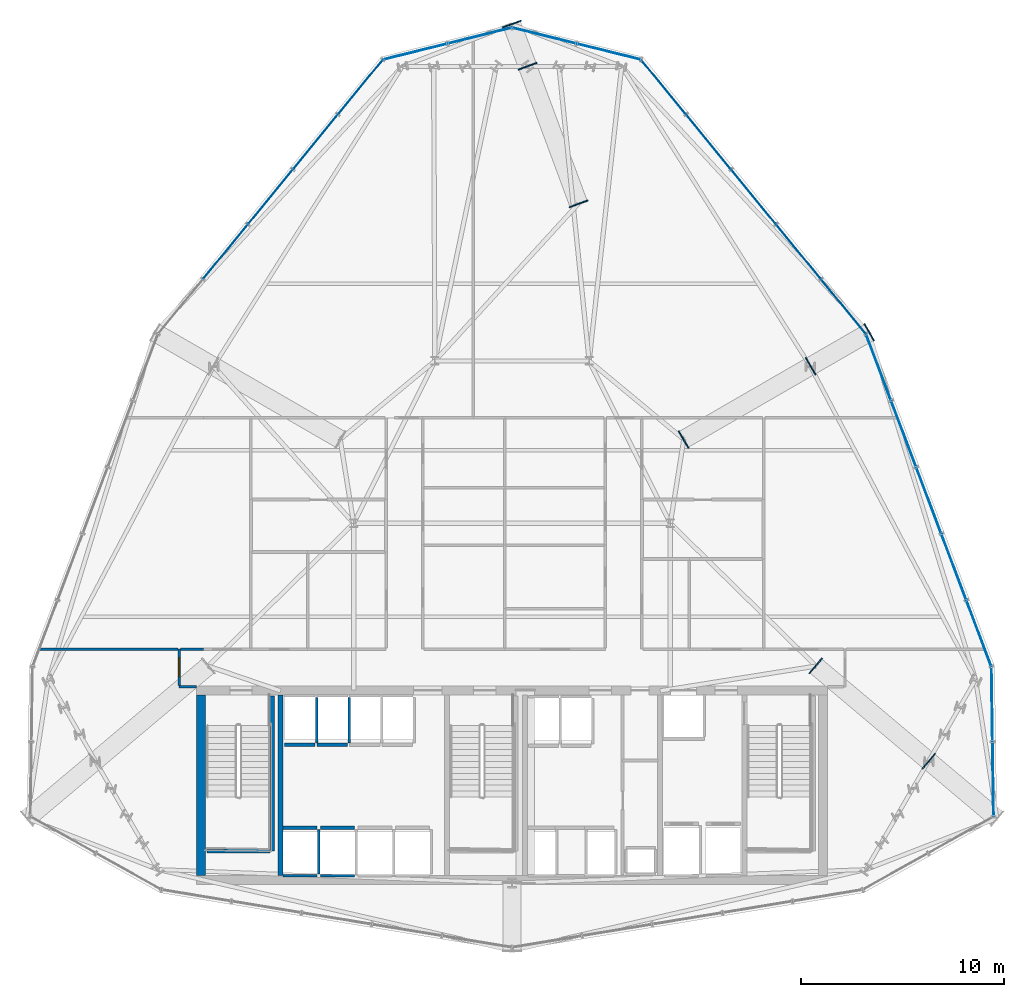
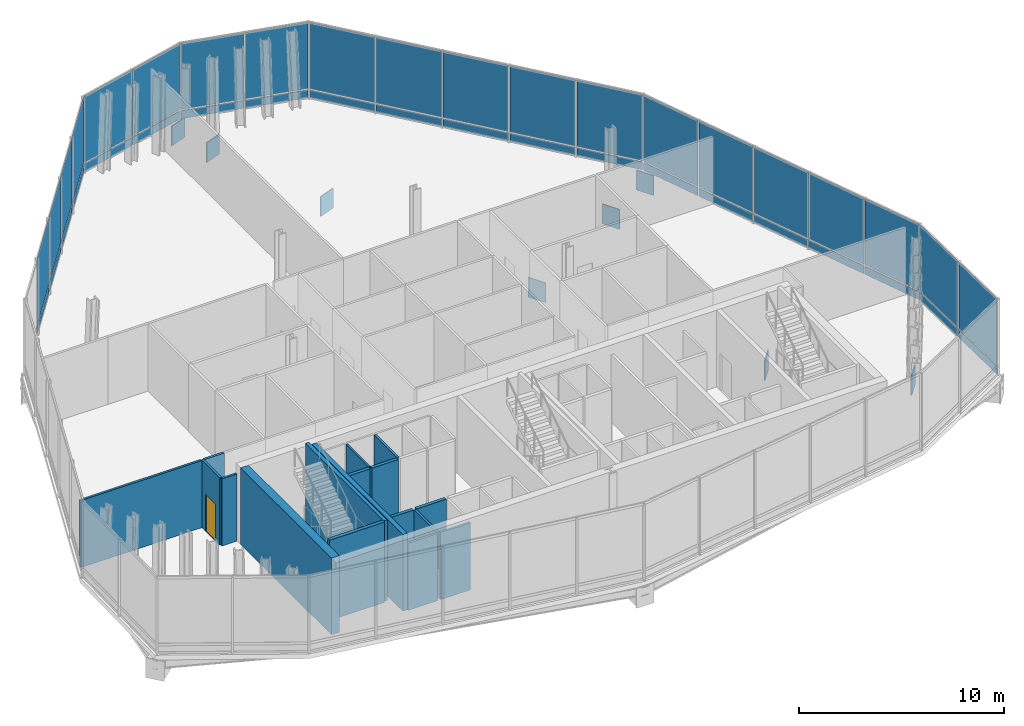
# One storey, part 20 of 26: 48 plates, 17 walls, 1 door, 1 opening, 6 elements without a shape of their own.
"""IFC4 building model written with IfcOpenShell, lengths in metres."""

import ifcopenshell
import ifcopenshell.guid

model = None  # the IFC model being written
_history = None  # IfcOwnerHistory: only IFC2X3 demands one
_inside = {}  # id of a spatial element -> (the spatial element, [elements in it])
_under = {}  # id of a project, library or spatial element -> (it, [spatial elements below it])
_declared = {}  # id of a project -> (the project, [libraries it declares])
_typed = {}  # id of a type object -> (the type object, [elements of that type])
_made_of = {}  # id of a material, layer set ... -> (it, [elements and type objects made of it])


def new_model(schema):
    """Start an empty IFC model of exactly this schema.

    Asked for "IFC4X3", IfcOpenShell would pick the latest addendum, in which some entities
    have other attributes; the version numbers below select the first issue.
    IFC2X3 requires an IfcOwnerHistory on every rooted entity: one is made here for all.
    """
    global model, _history
    if schema == "IFC4X3":
        model = ifcopenshell.file(schema_version=(4, 3, 0, 0))
    else:
        model = ifcopenshell.file(schema=schema)
    _inside.clear()
    _under.clear()
    _declared.clear()
    _typed.clear()
    _made_of.clear()
    _history = None
    if model.schema == "IFC2X3":
        org = make("IfcOrganization", Name="unknown")
        user = make(
            "IfcPersonAndOrganization",
            ThePerson=make("IfcPerson", FamilyName="unknown"),
            TheOrganization=org,
        )
        app = make(
            "IfcApplication",
            ApplicationDeveloper=org,
            Version="unknown",
            ApplicationFullName="unknown",
            ApplicationIdentifier="unknown",
        )
        _history = make(
            "IfcOwnerHistory",
            OwningUser=user,
            OwningApplication=app,
            ChangeAction="ADDED",
            CreationDate=0,
        )
    return model


def make(cls, **values):
    """One entity of the class cls with the attributes given. An attribute that is None is left unset."""
    return model.create_entity(
        cls, **{name: value for name, value in values.items() if value is not None}
    )


def rooted(cls, **values):
    """An entity with a GlobalId (a new one), such as an element, a storey or a relation."""
    return make(cls, GlobalId=ifcopenshell.guid.new(), OwnerHistory=_history, **values)


def si_unit(unit_type, name, prefix=None):
    """IfcSIUnit, for example si_unit("LENGTHUNIT", "METRE", prefix="MILLI")."""
    return make("IfcSIUnit", UnitType=unit_type, Prefix=prefix, Name=name)


def assignment(units):
    """IfcUnitAssignment: the units of a project."""
    return None if units is None else make("IfcUnitAssignment", Units=units)


def point(xyz):
    """IfcCartesianPoint."""
    return None if xyz is None else make("IfcCartesianPoint", Coordinates=xyz)


def direction(xyz):
    """IfcDirection."""
    return None if xyz is None else make("IfcDirection", DirectionRatios=xyz)


def frame(location, z_axis=None, x_axis=None):
    """IfcAxis2Placement3D, a coordinate frame: its origin and axes. An axis left out is left unset."""
    return make(
        "IfcAxis2Placement3D",
        Location=point(location),
        Axis=direction(z_axis),
        RefDirection=direction(x_axis),
    )


def frame_2d(location, x_axis=None):
    """IfcAxis2Placement2D, a coordinate frame in the plane: its origin and x axis."""
    return make(
        "IfcAxis2Placement2D", Location=point(location), RefDirection=direction(x_axis)
    )


def origin():
    """The frame at (0, 0, 0) with its axes left unset."""
    return frame((0.0, 0.0, 0.0))


def origin_2d():
    """The frame at (0, 0) in the plane with its x axis left unset."""
    return frame_2d((0.0, 0.0))


def place(relative_to, where):
    """IfcLocalPlacement: puts the frame where relative to a parent placement (None: the world)."""
    return make(
        "IfcLocalPlacement", PlacementRelTo=relative_to, RelativePlacement=where
    )


def context(
    kind, dimensions, precision=None, world=None, true_north=None, identifier=None
):
    """IfcGeometricRepresentationContext, for example the 3D "Model" context."""
    return make(
        "IfcGeometricRepresentationContext",
        ContextIdentifier=identifier,
        ContextType=kind,
        CoordinateSpaceDimension=dimensions,
        Precision=precision,
        WorldCoordinateSystem=world,
        TrueNorth=true_north,
    )


def subcontext(parent, identifier, kind, view, scale=None):
    """IfcGeometricRepresentationSubContext, for example "Body" below "Model"."""
    return make(
        "IfcGeometricRepresentationSubContext",
        ContextIdentifier=identifier,
        ContextType=kind,
        ParentContext=parent,
        TargetScale=scale,
        TargetView=view,
    )


def project(units=None, contexts=None):
    """IfcProject with its units and contexts."""
    return rooted(
        "IfcProject",
        Name="project",
        RepresentationContexts=contexts,
        UnitsInContext=assignment(units),
    )


def spatial(cls, under=None, at=None, **own):
    """A site, building, storey or space (cls), placed at a placement, below another one or the project."""
    s = rooted(cls, ObjectPlacement=at, **own)
    if under is not None:
        _under.setdefault(under.id(), (under, []))[1].append(s)
    return s


def profile(cls, at=None, kind="AREA", **sizes):
    """A parametric profile (cls). Its sizes go by their IFC names, for example OverallWidth=200.0."""
    return make(cls, ProfileType=kind, Position=at, **sizes)


def rectangle(**sizes):
    """IfcRectangleProfileDef."""
    return profile("IfcRectangleProfileDef", **sizes)


def extrude(swept, where, along, depth):
    """IfcExtrudedAreaSolid: the profile swept, set in the frame where, extruded along a direction by depth."""
    return make(
        "IfcExtrudedAreaSolid",
        SweptArea=swept,
        Position=where,
        ExtrudedDirection=direction(along),
        Depth=depth,
    )


def shape(context_of_items, identifier, shape_type, items):
    """IfcShapeRepresentation: the items that make up one representation, for example the "Body"."""
    return make(
        "IfcShapeRepresentation",
        ContextOfItems=context_of_items,
        RepresentationIdentifier=identifier,
        RepresentationType=shape_type,
        Items=items,
    )


def material(Name=None, Category=None):
    """IfcMaterial."""
    return make("IfcMaterial", Name=Name, Category=Category)


def layer(
    of_material, thickness, ventilated=None, Name=None, Category=None, Priority=None
):
    """IfcMaterialLayer: one layer of a wall or slab, of a material (None: an air gap)."""
    return make(
        "IfcMaterialLayer",
        Material=of_material,
        LayerThickness=thickness,
        IsVentilated=ventilated,
        Name=Name,
        Category=Category,
        Priority=Priority,
    )


def layer_set(layers, Name=None):
    """IfcMaterialLayerSet."""
    return make("IfcMaterialLayerSet", MaterialLayers=layers, LayerSetName=Name)


def made_of(thing, what):
    """Note that an element or type object is made of a material, layer set ...; save() writes the relation."""
    if what is not None:
        _made_of.setdefault(what.id(), (what, []))[1].append(thing)
    return thing


def type_object(cls, material=None, **own):
    """A type object (cls), such as IfcWallType, which elements share."""
    return made_of(rooted(cls, **own), material)


def element(
    cls,
    number,
    at=None,
    inside=None,
    cuts=None,
    type_object=None,
    material=None,
    context=None,
    identifier="Body",
    shape_type=None,
    held_by="IfcProductDefinitionShape",
    body=None,
    shapes=None,
    **own,
):
    """One element of the class cls, such as IfcWall. Its Tag is "e" and its number.

    at: its placement. inside: the storey or other place that contains it. cuts: it is an
    opening in that element (IfcRelVoidsElement). A single representation is given by context,
    identifier, shape_type and body (its items); several are given by shapes. held_by: the class
    of the entity that holds the representations. save() writes the other relations.
    """
    e = rooted(cls, Tag="e%d" % number, ObjectPlacement=at, **own)
    if body is not None:
        shapes = [shape(context, identifier, shape_type, body)]
    if shapes is not None:
        e.Representation = make(held_by, Representations=shapes)
    if inside is not None:
        _inside.setdefault(inside.id(), (inside, []))[1].append(e)
    if cuts is not None:
        rooted(
            "IfcRelVoidsElement", RelatingBuildingElement=cuts, RelatedOpeningElement=e
        )
    if type_object is not None:
        _typed.setdefault(type_object.id(), (type_object, []))[1].append(e)
    return made_of(e, material)


def fill(opening, filler):
    """IfcRelFillsElement: the door or window that sits in an opening."""
    return rooted(
        "IfcRelFillsElement",
        RelatingOpeningElement=opening,
        RelatedBuildingElement=filler,
    )


def aggregate(whole, parts):
    """IfcRelAggregates: a whole, such as a stair, and the parts it consists of."""
    return rooted("IfcRelAggregates", RelatingObject=whole, RelatedObjects=parts)


def save(model, path):
    """Write the relations noted so far, then the file.

    IfcRelAggregates (storeys below a building ...), IfcRelContainedInSpatialStructure (elements
    in a storey), IfcRelDefinesByType, IfcRelAssociatesMaterial and IfcRelDeclares: one each for
    every whole, place, type object, material and project.
    """
    for whole, parts in _under.values():
        aggregate(whole, parts)
    for where, things in _inside.values():
        rooted(
            "IfcRelContainedInSpatialStructure",
            RelatedElements=things,
            RelatingStructure=where,
        )
    for kind, things in _typed.values():
        rooted("IfcRelDefinesByType", RelatedObjects=things, RelatingType=kind)
    for what, things in _made_of.values():
        rooted("IfcRelAssociatesMaterial", RelatedObjects=things, RelatingMaterial=what)
    for by, libraries in _declared.values():
        rooted("IfcRelDeclares", RelatingContext=by, RelatedDefinitions=libraries)
    model.write(path)


model = new_model("IFC4")

# Units and contexts
model_context = context("Model", 3, precision=1e-05, world=origin(), true_north=direction((0.0, 1.0)))
body_context = subcontext(model_context, "Body", "Model", "MODEL_VIEW")
ifc_project = project(units=[si_unit("LENGTHUNIT", "METRE"), si_unit("AREAUNIT", "SQUARE_METRE"), si_unit("VOLUMEUNIT", "CUBIC_METRE"), si_unit("PLANEANGLEUNIT", "RADIAN"), si_unit("MASSUNIT", "GRAM", prefix="KILO")], contexts=[model_context])

# Site, building, storey
site_placement = place(None, origin())
site = spatial("IfcSite", under=ifc_project, at=site_placement, CompositionType="ELEMENT")
building_placement = place(site_placement, origin())
building = spatial("IfcBuilding", under=site, at=building_placement, Name="Ndaravel Arena Tower", CompositionType="ELEMENT")
storey_placement = place(building_placement, frame((0.0, 0.0, 122.199951171875)))
storey = spatial("IfcBuildingStorey", under=building, at=storey_placement, Name="L28", CompositionType="ELEMENT", Elevation=122.199951171875)

# Plates
ifc_material_1 = material(Name="Steel S460", Category="steel")
ifc_layer_1 = layer(ifc_material_1, 0.06005859375)
ifc_layer_set_1 = layer_set([ifc_layer_1], Name="Steel S460")
plate_type_1 = type_object("IfcPlateType", Name="PLT-CAP-STF1", PredefinedType="USERDEFINED", material=ifc_layer_set_1)
for number, where, z_axis, x_axis, name in (
    (1, (56.96044921875, 16.17919921875, -1.419921875), (0.0, 0.0, 1.0), (0.764808968487, -0.64425712392, 0.0), "L28 Hollow Section Sealed End Cap Plate HCP-027"),
    (2, (62.533935546875, 11.48486328125, -1.419921875), (0.0, 0.0, 1.0), (0.764808968487, -0.64425712392, 0.0), "L28 Hollow Section Sealed End Cap Plate HCP-028"),
    (3, (50.449951171875, 27.330810546875, -1.419921875), (0.0, 0.0, 1.0), (0.866025403784, 0.5, 0.0), "L28 Hollow Section Sealed End Cap Plate HCP-030"),
    (4, (56.711181640625, 30.94580078125, -1.419921875), (0.0, 0.0, 1.0), (0.866025403784, 0.5, 0.0), "L28 Hollow Section Sealed End Cap Plate HCP-031"),
    (5, (59.59521484375, 32.61083984375, -1.419921875), (0.0, 0.0, 1.0), (0.866025403784, 0.5, 0.0), "L28 Hollow Section Sealed End Cap Plate HCP-032"),
    (6, (45.281494140625, 38.939453125, -1.419921875), (0.0, 0.0, 1.0), (-0.347917616161, 0.937525110258, 0.0), "L28 Hollow Section Sealed End Cap Plate HCP-033"),
    (7, (42.7666015625, 45.718017578125, -1.419921875), (0.0, 0.0, 1.0), (-0.347917616161, 0.937525110258, 0.0), "L28 Hollow Section Sealed End Cap Plate HCP-034"),
    (8, (41.994873046875, 47.798095703125, -1.419921875), (0.0, 0.0, 1.0), (-0.347917616161, 0.937525110258, 0.0), "L28 Hollow Section Sealed End Cap Plate HCP-035"),
):
    element("IfcPlate", number, at=place(storey_placement, frame(where, z_axis=z_axis, x_axis=x_axis)), inside=storey, type_object=plate_type_1, Name=name, ObjectType="STIFFENER_PLATE", PredefinedType="USERDEFINED", context=body_context, shape_type="SweptSolid", body=[
        extrude(rectangle(XDim=0.06005859375, YDim=0.97998046875, at=origin_2d()), origin(), (0.0, 0.0, 1.0), 1.179931640625),
    ])

# Curtain wall, plates
ifc_material_2 = material(Name="Aluminium", Category="aluminium")
ifc_layer_2 = layer(ifc_material_2, 0.179931640625)
ifc_layer_set_2 = layer_set([ifc_layer_2], Name="Aluminium")
curtain_wall_type = type_object("IfcCurtainWallType", Name="CW-SYS-04", PredefinedType="NOTDEFINED", material=ifc_layer_set_2)
curtain_wall_1_placement = place(storey_placement, origin())
curtain_wall_1 = element("IfcCurtainWall", 9, at=curtain_wall_1_placement, inside=storey, type_object=curtain_wall_type, Name="L28 Faceted Crystal Curtain Wall CW-L28-E05", PredefinedType="NOTDEFINED")
ifc_material_3 = material(Name="Glazing", Category="glass")
ifc_layer_3 = layer(ifc_material_3, 0.0400390625)
ifc_layer_set_3 = layer_set([ifc_layer_3], Name="Glazing")
plate_type_2 = type_object("IfcPlateType", Name="PLT-GLZ-LOWIRON", PredefinedType="CURTAIN_PANEL", material=ifc_layer_set_3)
plate_1_placement = place(storey_placement, frame((65.6982421875, 10.601318359375, 0.58984375), z_axis=(0.0, 0.0, 1.0), x_axis=(-0.014503177598, 0.999894823389, 0.0)))
plate_1 = element("IfcPlate", 10, at=plate_1_placement, type_object=plate_type_2, Name="CW-L28-E05 Vision Glass Panel 01", PredefinedType="CURTAIN_PANEL", context=body_context, shape_type="SweptSolid", body=[
    extrude(rectangle(XDim=3.6142578125, YDim=0.035888671875, at=origin_2d()), origin(), (0.0, 0.0, 1.0), 3.949951171875),
])
plate_2_placement = place(storey_placement, frame((65.644775390625, 14.29541015625, 0.58984375), z_axis=(0.0, 0.0, 1.0), x_axis=(-0.014503177598, 0.999894823389, 0.0)))
plate_2 = element("IfcPlate", 11, at=plate_2_placement, type_object=plate_type_2, Name="CW-L28-E05 Vision Glass Panel 02", PredefinedType="CURTAIN_PANEL", context=body_context, shape_type="SweptSolid", body=[
    extrude(rectangle(XDim=3.6142578125, YDim=0.035888671875, at=origin_2d()), origin(), (0.0, 0.0, 1.0), 3.949951171875),
])

curtain_wall_2_placement = place(storey_placement, origin())
curtain_wall_2 = element("IfcCurtainWall", 12, at=curtain_wall_2_placement, inside=storey, type_object=curtain_wall_type, Name="L28 Faceted Crystal Curtain Wall CW-L28-E06", PredefinedType="NOTDEFINED")
plate_3_placement = place(storey_placement, frame((65.00048828125, 17.7802734375, 0.58984375), z_axis=(0.0, 0.0, 1.0), x_axis=(-0.352805363625, 0.935696732599, 0.0)))
plate_3 = element("IfcPlate", 13, at=plate_3_placement, type_object=plate_type_2, Name="CW-L28-E06 Vision Glass Panel 01", PredefinedType="CURTAIN_PANEL", context=body_context, shape_type="SweptSolid", body=[
    extrude(rectangle(XDim=3.421142578125, YDim=0.035888671875, at=origin_2d()), origin(), (0.0, 0.0, 1.0), 3.949951171875),
])
plate_4_placement = place(storey_placement, frame((63.76513671875, 21.056396484375, 0.58984375), z_axis=(0.0, 0.0, 1.0), x_axis=(-0.352805363625, 0.935696732599, 0.0)))
plate_4 = element("IfcPlate", 14, at=plate_4_placement, type_object=plate_type_2, Name="CW-L28-E06 Vision Glass Panel 02", PredefinedType="CURTAIN_PANEL", context=body_context, shape_type="SweptSolid", body=[
    extrude(rectangle(XDim=3.421142578125, YDim=0.035888671875, at=origin_2d()), origin(), (0.0, 0.0, 1.0), 3.949951171875),
])
plate_5_placement = place(storey_placement, frame((62.52978515625, 24.332275390625, 0.58984375), z_axis=(0.0, 0.0, 1.0), x_axis=(-0.352805363625, 0.935696732599, 0.0)))
plate_5 = element("IfcPlate", 15, at=plate_5_placement, type_object=plate_type_2, Name="CW-L28-E06 Vision Glass Panel 03", PredefinedType="CURTAIN_PANEL", context=body_context, shape_type="SweptSolid", body=[
    extrude(rectangle(XDim=3.421142578125, YDim=0.035888671875, at=origin_2d()), origin(), (0.0, 0.0, 1.0), 3.949951171875),
])
plate_6_placement = place(storey_placement, frame((61.294677734375, 27.608154296875, 0.58984375), z_axis=(0.0, 0.0, 1.0), x_axis=(-0.352805363625, 0.935696732599, 0.0)))
plate_6 = element("IfcPlate", 16, at=plate_6_placement, type_object=plate_type_2, Name="CW-L28-E06 Vision Glass Panel 04", PredefinedType="CURTAIN_PANEL", context=body_context, shape_type="SweptSolid", body=[
    extrude(rectangle(XDim=3.421142578125, YDim=0.035888671875, at=origin_2d()), origin(), (0.0, 0.0, 1.0), 3.949951171875),
])
plate_7_placement = place(storey_placement, frame((60.059326171875, 30.88427734375, 0.58984375), z_axis=(0.0, 0.0, 1.0), x_axis=(-0.352805363625, 0.935696732599, 0.0)))
plate_7 = element("IfcPlate", 17, at=plate_7_placement, type_object=plate_type_2, Name="CW-L28-E06 Vision Glass Panel 05", PredefinedType="CURTAIN_PANEL", context=body_context, shape_type="SweptSolid", body=[
    extrude(rectangle(XDim=3.421142578125, YDim=0.035888671875, at=origin_2d()), origin(), (0.0, 0.0, 1.0), 3.949951171875),
])

curtain_wall_3_placement = place(storey_placement, origin())
curtain_wall_3 = element("IfcCurtainWall", 18, at=curtain_wall_3_placement, inside=storey, type_object=curtain_wall_type, Name="L28 Faceted Crystal Curtain Wall CW-L28-E07", PredefinedType="NOTDEFINED")
plate_8_placement = place(storey_placement, frame((58.333740234375, 33.8740234375, 0.58984375), z_axis=(0.0, 0.0, 1.0), x_axis=(-0.633934458857, 0.773386773791, 0.0)))
plate_8 = element("IfcPlate", 19, at=plate_8_placement, type_object=plate_type_2, Name="CW-L28-E07 Vision Glass Panel 01", PredefinedType="CURTAIN_PANEL", context=body_context, shape_type="SweptSolid", body=[
    extrude(rectangle(XDim=3.416015625, YDim=0.035888671875, at=origin_2d()), origin(), (0.0, 0.0, 1.0), 3.949951171875),
])
plate_9_placement = place(storey_placement, frame((56.117431640625, 36.577880859375, 0.58984375), z_axis=(0.0, 0.0, 1.0), x_axis=(-0.633934458857, 0.773386773791, 0.0)))
plate_9 = element("IfcPlate", 20, at=plate_9_placement, type_object=plate_type_2, Name="CW-L28-E07 Vision Glass Panel 02", PredefinedType="CURTAIN_PANEL", context=body_context, shape_type="SweptSolid", body=[
    extrude(rectangle(XDim=3.416015625, YDim=0.035888671875, at=origin_2d()), origin(), (0.0, 0.0, 1.0), 3.949951171875),
])
plate_10_placement = place(storey_placement, frame((53.901123046875, 39.28173828125, 0.58984375), z_axis=(0.0, 0.0, 1.0), x_axis=(-0.633934458857, 0.773386773791, 0.0)))
plate_10 = element("IfcPlate", 21, at=plate_10_placement, type_object=plate_type_2, Name="CW-L28-E07 Vision Glass Panel 03", PredefinedType="CURTAIN_PANEL", context=body_context, shape_type="SweptSolid", body=[
    extrude(rectangle(XDim=3.416015625, YDim=0.035888671875, at=origin_2d()), origin(), (0.0, 0.0, 1.0), 3.949951171875),
])
plate_11_placement = place(storey_placement, frame((51.684814453125, 41.985595703125, 0.58984375), z_axis=(0.0, 0.0, 1.0), x_axis=(-0.633934458857, 0.773386773791, 0.0)))
plate_11 = element("IfcPlate", 22, at=plate_11_placement, type_object=plate_type_2, Name="CW-L28-E07 Vision Glass Panel 04", PredefinedType="CURTAIN_PANEL", context=body_context, shape_type="SweptSolid", body=[
    extrude(rectangle(XDim=3.416015625, YDim=0.035888671875, at=origin_2d()), origin(), (0.0, 0.0, 1.0), 3.949951171875),
])
plate_12_placement = place(storey_placement, frame((49.468505859375, 44.689697265625, 0.58984375), z_axis=(0.0, 0.0, 1.0), x_axis=(-0.633934458857, 0.773386773791, 0.0)))
plate_12 = element("IfcPlate", 23, at=plate_12_placement, type_object=plate_type_2, Name="CW-L28-E07 Vision Glass Panel 05", PredefinedType="CURTAIN_PANEL", context=body_context, shape_type="SweptSolid", body=[
    extrude(rectangle(XDim=3.416015625, YDim=0.035888671875, at=origin_2d()), origin(), (0.0, 0.0, 1.0), 3.949951171875),
])

curtain_wall_4_placement = place(storey_placement, origin())
curtain_wall_4 = element("IfcCurtainWall", 24, at=curtain_wall_4_placement, inside=storey, type_object=curtain_wall_type, Name="L28 Faceted Crystal Curtain Wall CW-L28-E08", PredefinedType="NOTDEFINED")
plate_13_placement = place(storey_placement, frame((46.770263671875, 46.435791015625, 0.58984375), z_axis=(0.0, 0.0, 1.0), x_axis=(-0.970586363623, 0.24075321545, 0.0)))
plate_13 = element("IfcPlate", 25, at=plate_13_placement, type_object=plate_type_2, Name="CW-L28-E08 Vision Glass Panel 01", PredefinedType="CURTAIN_PANEL", context=body_context, shape_type="SweptSolid", body=[
    extrude(rectangle(XDim=3.196533203125, YDim=0.035888671875, at=origin_2d()), origin(), (0.0, 0.0, 1.0), 3.949951171875),
])
plate_14_placement = place(storey_placement, frame((43.590087890625, 47.224853515625, 0.58984375), z_axis=(0.0, 0.0, 1.0), x_axis=(-0.970586363623, 0.24075321545, 0.0)))
plate_14 = element("IfcPlate", 26, at=plate_14_placement, type_object=plate_type_2, Name="CW-L28-E08 Vision Glass Panel 02", PredefinedType="CURTAIN_PANEL", context=body_context, shape_type="SweptSolid", body=[
    extrude(rectangle(XDim=3.196533203125, YDim=0.035888671875, at=origin_2d()), origin(), (0.0, 0.0, 1.0), 3.949951171875),
])

curtain_wall_5_placement = place(storey_placement, origin())
curtain_wall_5 = element("IfcCurtainWall", 27, at=curtain_wall_5_placement, inside=storey, type_object=curtain_wall_type, Name="L28 Faceted Crystal Curtain Wall CW-L28-E09", PredefinedType="NOTDEFINED")
plate_15_placement = place(storey_placement, frame((40.409912109375, 47.224853515625, 0.58984375), z_axis=(0.0, 0.0, 1.0), x_axis=(-0.970586363623, -0.24075321545, 0.0)))
plate_15 = element("IfcPlate", 28, at=plate_15_placement, type_object=plate_type_2, Name="CW-L28-E09 Vision Glass Panel 01", PredefinedType="CURTAIN_PANEL", context=body_context, shape_type="SweptSolid", body=[
    extrude(rectangle(XDim=3.196533203125, YDim=0.035888671875, at=origin_2d()), origin(), (0.0, 0.0, 1.0), 3.949951171875),
])
plate_16_placement = place(storey_placement, frame((37.229736328125, 46.435791015625, 0.58984375), z_axis=(0.0, 0.0, 1.0), x_axis=(-0.970586363623, -0.24075321545, 0.0)))
plate_16 = element("IfcPlate", 29, at=plate_16_placement, type_object=plate_type_2, Name="CW-L28-E09 Vision Glass Panel 02", PredefinedType="CURTAIN_PANEL", context=body_context, shape_type="SweptSolid", body=[
    extrude(rectangle(XDim=3.196533203125, YDim=0.035888671875, at=origin_2d()), origin(), (0.0, 0.0, 1.0), 3.949951171875),
])

curtain_wall_6_placement = place(storey_placement, origin())
curtain_wall_6 = element("IfcCurtainWall", 30, at=curtain_wall_6_placement, inside=storey, type_object=curtain_wall_type, Name="L28 Faceted Crystal Curtain Wall CW-L28-E10", PredefinedType="NOTDEFINED")
plate_17_placement = place(storey_placement, frame((34.531494140625, 44.689697265625, 0.58984375), z_axis=(0.0, 0.0, 1.0), x_axis=(-0.633934458857, -0.773386773791, 0.0)))
plate_17 = element("IfcPlate", 31, at=plate_17_placement, type_object=plate_type_2, Name="CW-L28-E10 Vision Glass Panel 01", PredefinedType="CURTAIN_PANEL", context=body_context, shape_type="SweptSolid", body=[
    extrude(rectangle(XDim=3.416015625, YDim=0.035888671875, at=origin_2d()), origin(), (0.0, 0.0, 1.0), 3.949951171875),
])
plate_18_placement = place(storey_placement, frame((32.315185546875, 41.985595703125, 0.58984375), z_axis=(0.0, 0.0, 1.0), x_axis=(-0.633934458857, -0.773386773791, 0.0)))
plate_18 = element("IfcPlate", 32, at=plate_18_placement, type_object=plate_type_2, Name="CW-L28-E10 Vision Glass Panel 02", PredefinedType="CURTAIN_PANEL", context=body_context, shape_type="SweptSolid", body=[
    extrude(rectangle(XDim=3.416015625, YDim=0.035888671875, at=origin_2d()), origin(), (0.0, 0.0, 1.0), 3.949951171875),
])
plate_19_placement = place(storey_placement, frame((30.098876953125, 39.28173828125, 0.58984375), z_axis=(0.0, 0.0, 1.0), x_axis=(-0.633934458857, -0.773386773791, 0.0)))
plate_19 = element("IfcPlate", 33, at=plate_19_placement, type_object=plate_type_2, Name="CW-L28-E10 Vision Glass Panel 03", PredefinedType="CURTAIN_PANEL", context=body_context, shape_type="SweptSolid", body=[
    extrude(rectangle(XDim=3.416015625, YDim=0.035888671875, at=origin_2d()), origin(), (0.0, 0.0, 1.0), 3.949951171875),
])
plate_20_placement = place(storey_placement, frame((27.882568359375, 36.577880859375, 0.58984375), z_axis=(0.0, 0.0, 1.0), x_axis=(-0.633934458857, -0.773386773791, 0.0)))
plate_20 = element("IfcPlate", 34, at=plate_20_placement, type_object=plate_type_2, Name="CW-L28-E10 Vision Glass Panel 04", PredefinedType="CURTAIN_PANEL", context=body_context, shape_type="SweptSolid", body=[
    extrude(rectangle(XDim=3.416015625, YDim=0.035888671875, at=origin_2d()), origin(), (0.0, 0.0, 1.0), 3.949951171875),
])

# Plate
ifc_material_4 = material(Name="Aluminium", Category="aluminium")
ifc_layer_4 = layer(ifc_material_4, 0.044921875)
ifc_layer_set_4 = layer_set([ifc_layer_4], Name="Aluminium")
plate_type_3 = type_object("IfcPlateType", Name="PLT-SPANDREL-ALU", PredefinedType="SHEET", material=ifc_layer_set_4)
plate_21_placement = place(storey_placement, frame((65.6982421875, 10.601318359375, 0.0400390625), z_axis=(0.0, 0.0, 1.0), x_axis=(-0.014503177598, 0.999894823389, 0.0)))
plate_21 = element("IfcPlate", 35, at=plate_21_placement, type_object=plate_type_3, Name="CW-L28-E05 Spandrel Panel 01", PredefinedType="SHEET", context=body_context, shape_type="SweptSolid", body=[
    extrude(rectangle(XDim=3.6142578125, YDim=0.044921875, at=origin_2d()), origin(), (0.0, 0.0, 1.0), 0.469970703125),
])

plate_22_placement = place(storey_placement, frame((65.644775390625, 14.29541015625, 0.0400390625), z_axis=(0.0, 0.0, 1.0), x_axis=(-0.014503177598, 0.999894823389, 0.0)))
plate_22 = element("IfcPlate", 36, at=plate_22_placement, type_object=plate_type_3, Name="CW-L28-E05 Spandrel Panel 02", PredefinedType="SHEET", context=body_context, shape_type="SweptSolid", body=[
    extrude(rectangle(XDim=3.6142578125, YDim=0.044921875, at=origin_2d()), origin(), (0.0, 0.0, 1.0), 0.469970703125),
])

aggregate(curtain_wall_1, [plate_21, plate_1, plate_22, plate_2])

plate_23_placement = place(storey_placement, frame((65.00048828125, 17.7802734375, 0.0400390625), z_axis=(0.0, 0.0, 1.0), x_axis=(-0.352805363625, 0.935696732599, 0.0)))
plate_23 = element("IfcPlate", 37, at=plate_23_placement, type_object=plate_type_3, Name="CW-L28-E06 Spandrel Panel 01", PredefinedType="SHEET", context=body_context, shape_type="SweptSolid", body=[
    extrude(rectangle(XDim=3.421142578125, YDim=0.044921875, at=origin_2d()), origin(), (0.0, 0.0, 1.0), 0.469970703125),
])

plate_24_placement = place(storey_placement, frame((63.76513671875, 21.056396484375, 0.0400390625), z_axis=(0.0, 0.0, 1.0), x_axis=(-0.352805363625, 0.935696732599, 0.0)))
plate_24 = element("IfcPlate", 38, at=plate_24_placement, type_object=plate_type_3, Name="CW-L28-E06 Spandrel Panel 02", PredefinedType="SHEET", context=body_context, shape_type="SweptSolid", body=[
    extrude(rectangle(XDim=3.421142578125, YDim=0.044921875, at=origin_2d()), origin(), (0.0, 0.0, 1.0), 0.469970703125),
])

plate_25_placement = place(storey_placement, frame((62.52978515625, 24.332275390625, 0.0400390625), z_axis=(0.0, 0.0, 1.0), x_axis=(-0.352805363625, 0.935696732599, 0.0)))
plate_25 = element("IfcPlate", 39, at=plate_25_placement, type_object=plate_type_3, Name="CW-L28-E06 Spandrel Panel 03", PredefinedType="SHEET", context=body_context, shape_type="SweptSolid", body=[
    extrude(rectangle(XDim=3.421142578125, YDim=0.044921875, at=origin_2d()), origin(), (0.0, 0.0, 1.0), 0.469970703125),
])

plate_26_placement = place(storey_placement, frame((61.294677734375, 27.608154296875, 0.0400390625), z_axis=(0.0, 0.0, 1.0), x_axis=(-0.352805363625, 0.935696732599, 0.0)))
plate_26 = element("IfcPlate", 40, at=plate_26_placement, type_object=plate_type_3, Name="CW-L28-E06 Spandrel Panel 04", PredefinedType="SHEET", context=body_context, shape_type="SweptSolid", body=[
    extrude(rectangle(XDim=3.421142578125, YDim=0.044921875, at=origin_2d()), origin(), (0.0, 0.0, 1.0), 0.469970703125),
])

plate_27_placement = place(storey_placement, frame((60.059326171875, 30.88427734375, 0.0400390625), z_axis=(0.0, 0.0, 1.0), x_axis=(-0.352805363625, 0.935696732599, 0.0)))
plate_27 = element("IfcPlate", 41, at=plate_27_placement, type_object=plate_type_3, Name="CW-L28-E06 Spandrel Panel 05", PredefinedType="SHEET", context=body_context, shape_type="SweptSolid", body=[
    extrude(rectangle(XDim=3.421142578125, YDim=0.044921875, at=origin_2d()), origin(), (0.0, 0.0, 1.0), 0.469970703125),
])

aggregate(curtain_wall_2, [plate_23, plate_3, plate_24, plate_4, plate_25, plate_5, plate_26, plate_6, plate_27, plate_7])

plate_28_placement = place(storey_placement, frame((58.333740234375, 33.8740234375, 0.0400390625), z_axis=(0.0, 0.0, 1.0), x_axis=(-0.633934458857, 0.773386773791, 0.0)))
plate_28 = element("IfcPlate", 42, at=plate_28_placement, type_object=plate_type_3, Name="CW-L28-E07 Spandrel Panel 01", PredefinedType="SHEET", context=body_context, shape_type="SweptSolid", body=[
    extrude(rectangle(XDim=3.416015625, YDim=0.044921875, at=origin_2d()), origin(), (0.0, 0.0, 1.0), 0.469970703125),
])

plate_29_placement = place(storey_placement, frame((56.117431640625, 36.577880859375, 0.0400390625), z_axis=(0.0, 0.0, 1.0), x_axis=(-0.633934458857, 0.773386773791, 0.0)))
plate_29 = element("IfcPlate", 43, at=plate_29_placement, type_object=plate_type_3, Name="CW-L28-E07 Spandrel Panel 02", PredefinedType="SHEET", context=body_context, shape_type="SweptSolid", body=[
    extrude(rectangle(XDim=3.416015625, YDim=0.044921875, at=origin_2d()), origin(), (0.0, 0.0, 1.0), 0.469970703125),
])

plate_30_placement = place(storey_placement, frame((53.901123046875, 39.28173828125, 0.0400390625), z_axis=(0.0, 0.0, 1.0), x_axis=(-0.633934458857, 0.773386773791, 0.0)))
plate_30 = element("IfcPlate", 44, at=plate_30_placement, type_object=plate_type_3, Name="CW-L28-E07 Spandrel Panel 03", PredefinedType="SHEET", context=body_context, shape_type="SweptSolid", body=[
    extrude(rectangle(XDim=3.416015625, YDim=0.044921875, at=origin_2d()), origin(), (0.0, 0.0, 1.0), 0.469970703125),
])

plate_31_placement = place(storey_placement, frame((51.684814453125, 41.985595703125, 0.0400390625), z_axis=(0.0, 0.0, 1.0), x_axis=(-0.633934458857, 0.773386773791, 0.0)))
plate_31 = element("IfcPlate", 45, at=plate_31_placement, type_object=plate_type_3, Name="CW-L28-E07 Spandrel Panel 04", PredefinedType="SHEET", context=body_context, shape_type="SweptSolid", body=[
    extrude(rectangle(XDim=3.416015625, YDim=0.044921875, at=origin_2d()), origin(), (0.0, 0.0, 1.0), 0.469970703125),
])

plate_32_placement = place(storey_placement, frame((49.468505859375, 44.689697265625, 0.0400390625), z_axis=(0.0, 0.0, 1.0), x_axis=(-0.633934458857, 0.773386773791, 0.0)))
plate_32 = element("IfcPlate", 46, at=plate_32_placement, type_object=plate_type_3, Name="CW-L28-E07 Spandrel Panel 05", PredefinedType="SHEET", context=body_context, shape_type="SweptSolid", body=[
    extrude(rectangle(XDim=3.416015625, YDim=0.044921875, at=origin_2d()), origin(), (0.0, 0.0, 1.0), 0.469970703125),
])

aggregate(curtain_wall_3, [plate_28, plate_8, plate_29, plate_9, plate_30, plate_10, plate_31, plate_11, plate_32, plate_12])

plate_33_placement = place(storey_placement, frame((46.770263671875, 46.435791015625, 0.0400390625), z_axis=(0.0, 0.0, 1.0), x_axis=(-0.970586363623, 0.24075321545, 0.0)))
plate_33 = element("IfcPlate", 47, at=plate_33_placement, type_object=plate_type_3, Name="CW-L28-E08 Spandrel Panel 01", PredefinedType="SHEET", context=body_context, shape_type="SweptSolid", body=[
    extrude(rectangle(XDim=3.196533203125, YDim=0.044921875, at=origin_2d()), origin(), (0.0, 0.0, 1.0), 0.469970703125),
])

plate_34_placement = place(storey_placement, frame((43.590087890625, 47.224853515625, 0.0400390625), z_axis=(0.0, 0.0, 1.0), x_axis=(-0.970586363623, 0.24075321545, 0.0)))
plate_34 = element("IfcPlate", 48, at=plate_34_placement, type_object=plate_type_3, Name="CW-L28-E08 Spandrel Panel 02", PredefinedType="SHEET", context=body_context, shape_type="SweptSolid", body=[
    extrude(rectangle(XDim=3.196533203125, YDim=0.044921875, at=origin_2d()), origin(), (0.0, 0.0, 1.0), 0.469970703125),
])

aggregate(curtain_wall_4, [plate_33, plate_13, plate_34, plate_14])

plate_35_placement = place(storey_placement, frame((40.409912109375, 47.224853515625, 0.0400390625), z_axis=(0.0, 0.0, 1.0), x_axis=(-0.970586363623, -0.24075321545, 0.0)))
plate_35 = element("IfcPlate", 49, at=plate_35_placement, type_object=plate_type_3, Name="CW-L28-E09 Spandrel Panel 01", PredefinedType="SHEET", context=body_context, shape_type="SweptSolid", body=[
    extrude(rectangle(XDim=3.196533203125, YDim=0.044921875, at=origin_2d()), origin(), (0.0, 0.0, 1.0), 0.469970703125),
])

plate_36_placement = place(storey_placement, frame((37.229736328125, 46.435791015625, 0.0400390625), z_axis=(0.0, 0.0, 1.0), x_axis=(-0.970586363623, -0.24075321545, 0.0)))
plate_36 = element("IfcPlate", 50, at=plate_36_placement, type_object=plate_type_3, Name="CW-L28-E09 Spandrel Panel 02", PredefinedType="SHEET", context=body_context, shape_type="SweptSolid", body=[
    extrude(rectangle(XDim=3.196533203125, YDim=0.044921875, at=origin_2d()), origin(), (0.0, 0.0, 1.0), 0.469970703125),
])

aggregate(curtain_wall_5, [plate_35, plate_15, plate_36, plate_16])

plate_37_placement = place(storey_placement, frame((34.531494140625, 44.689697265625, 0.0400390625), z_axis=(0.0, 0.0, 1.0), x_axis=(-0.633934458857, -0.773386773791, 0.0)))
plate_37 = element("IfcPlate", 51, at=plate_37_placement, type_object=plate_type_3, Name="CW-L28-E10 Spandrel Panel 01", PredefinedType="SHEET", context=body_context, shape_type="SweptSolid", body=[
    extrude(rectangle(XDim=3.416015625, YDim=0.044921875, at=origin_2d()), origin(), (0.0, 0.0, 1.0), 0.469970703125),
])

plate_38_placement = place(storey_placement, frame((32.315185546875, 41.985595703125, 0.0400390625), z_axis=(0.0, 0.0, 1.0), x_axis=(-0.633934458857, -0.773386773791, 0.0)))
plate_38 = element("IfcPlate", 52, at=plate_38_placement, type_object=plate_type_3, Name="CW-L28-E10 Spandrel Panel 02", PredefinedType="SHEET", context=body_context, shape_type="SweptSolid", body=[
    extrude(rectangle(XDim=3.416015625, YDim=0.044921875, at=origin_2d()), origin(), (0.0, 0.0, 1.0), 0.469970703125),
])

plate_39_placement = place(storey_placement, frame((30.098876953125, 39.28173828125, 0.0400390625), z_axis=(0.0, 0.0, 1.0), x_axis=(-0.633934458857, -0.773386773791, 0.0)))
plate_39 = element("IfcPlate", 53, at=plate_39_placement, type_object=plate_type_3, Name="CW-L28-E10 Spandrel Panel 03", PredefinedType="SHEET", context=body_context, shape_type="SweptSolid", body=[
    extrude(rectangle(XDim=3.416015625, YDim=0.044921875, at=origin_2d()), origin(), (0.0, 0.0, 1.0), 0.469970703125),
])

plate_40_placement = place(storey_placement, frame((27.882568359375, 36.577880859375, 0.0400390625), z_axis=(0.0, 0.0, 1.0), x_axis=(-0.633934458857, -0.773386773791, 0.0)))
plate_40 = element("IfcPlate", 54, at=plate_40_placement, type_object=plate_type_3, Name="CW-L28-E10 Spandrel Panel 04", PredefinedType="SHEET", context=body_context, shape_type="SweptSolid", body=[
    extrude(rectangle(XDim=3.416015625, YDim=0.044921875, at=origin_2d()), origin(), (0.0, 0.0, 1.0), 0.469970703125),
])

aggregate(curtain_wall_6, [plate_37, plate_17, plate_38, plate_18, plate_39, plate_19, plate_40, plate_20])

# Walls
ifc_material_5 = material(Name="Concrete C60/75", Category="concrete")
ifc_layer_5 = layer(ifc_material_5, 0.25)
ifc_layer_set_5 = layer_set([ifc_layer_5], Name="Concrete C60/75")
wall_type_1 = type_object("IfcWallType", Name="WALL-CORE-250", PredefinedType="SOLIDWALL", material=ifc_layer_set_5)
wall_1_placement = place(storey_placement, frame((30.60009765625, 5.85009765625, 0.0), z_axis=(0.0, 0.0, 1.0), x_axis=(0.0, 1.0, 0.0)))
element("IfcWall", 55, at=wall_1_placement, inside=storey, type_object=wall_type_1, Name="L28 Core Web Shear Wall 1", PredefinedType="SOLIDWALL", context=body_context, shape_type="SweptSolid", body=[
    extrude(rectangle(XDim=8.89990234375, YDim=0.25, at=frame_2d((4.449951171875, 0.0))), origin(), (0.0, 0.0, 1.0), 4.580078125),
])
ifc_material_6 = material(Name="Concrete C60/75", Category="concrete")
ifc_layer_6 = layer(ifc_material_6, 0.449951171875)
ifc_layer_set_6 = layer_set([ifc_layer_6], Name="Concrete C60/75")
wall_type_2 = type_object("IfcWallType", Name="WALL-CORE-450", PredefinedType="SOLIDWALL", material=ifc_layer_set_6)
wall_2_placement = place(storey_placement, frame((26.675048828125, 5.85009765625, 0.0), z_axis=(0.0, 0.0, 1.0), x_axis=(0.0, 1.0, 0.0)))
element("IfcWall", 56, at=wall_2_placement, inside=storey, type_object=wall_type_2, Name="L28 Core West Shear Wall", PredefinedType="SOLIDWALL", context=body_context, shape_type="SweptSolid", body=[
    extrude(rectangle(XDim=8.89990234375, YDim=0.449951171875, at=frame_2d((4.449951171875, 0.0))), origin(), (0.0, 0.0, 1.0), 4.580078125),
])
ifc_material_7 = material(Name="Gypsum", Category="gypsum")
ifc_layer_7 = layer(ifc_material_7, 0.125)
ifc_layer_set_7 = layer_set([ifc_layer_7], Name="Gypsum")
wall_type_3 = type_object("IfcWallType", Name="WALL-PART-125", PredefinedType="PARTITIONING", material=ifc_layer_set_7)
wall_3_placement = place(storey_placement, frame((26.449951171875, 15.14990234375, 0.0), z_axis=(0.0, 0.0, 1.0), x_axis=(-1.0, 0.0, 0.0)))
element("IfcWall", 57, at=wall_3_placement, inside=storey, type_object=wall_type_3, Name="L28 Interior Partition 003", PredefinedType="PARTITIONING", context=body_context, shape_type="SweptSolid", body=[
    extrude(rectangle(XDim=0.849853515625, YDim=0.125, at=frame_2d((0.4248046875, 0.0))), origin(), (0.0, 0.0, 1.0), 4.010498046875),
])

# Wall, opening, door
wall_4_placement = place(storey_placement, frame((25.60009765625, 15.215087890625, 0.0), z_axis=(0.0, 0.0, 1.0), x_axis=(0.0, 1.0, 0.0)))
wall_4 = element("IfcWall", 58, at=wall_4_placement, inside=storey, type_object=wall_type_3, Name="L28 Interior Partition 004", PredefinedType="PARTITIONING", context=body_context, shape_type="SweptSolid", body=[
    extrude(rectangle(XDim=1.784912109375, YDim=0.125, at=frame_2d((0.892578125, 0.0))), origin(), (0.0, 0.0, 1.0), 4.010498046875),
])
opening_placement = place(wall_4_placement, frame((0.41748046875, 0.0, 0.0)))
opening = element("IfcOpeningElement", 59, at=opening_placement, cuts=wall_4, Name="Opening ID-01", PredefinedType="OPENING", context=body_context, shape_type="SweptSolid", body=[
    extrude(rectangle(XDim=0.949951171875, YDim=2.199951171875, at=frame_2d((0.47509765625, 1.10009765625))), frame((0.0, 0.0625, 0.0), z_axis=(0.0, -1.0, 0.0), x_axis=(1.0, 0.0, 0.0)), (0.0, 0.0, 1.0), 0.125),
])
ifc_material_8 = material(Name="Timber", Category="wood")
door_type = type_object("IfcDoorType", Name="DT-03-OFFICE-950", OperationType="SINGLE_SWING_LEFT", PredefinedType="DOOR", material=ifc_material_8)
door_placement = place(opening_placement, origin())
door = element("IfcDoor", 60, at=door_placement, inside=storey, type_object=door_type, Name="L28 Executive Boardroom Door", OperationType="SINGLE_SWING_LEFT", OverallHeight=2.199951171875, OverallWidth=0.949951171875, PredefinedType="DOOR", context=body_context, shape_type="SweptSolid", body=[
    extrude(rectangle(XDim=0.949951171875, YDim=2.199951171875, at=frame_2d((0.47509765625, 1.10009765625))), frame((0.0, 0.02490234375, 0.0), z_axis=(0.0, -1.0, 0.0), x_axis=(1.0, 0.0, 0.0)), (0.0, 0.0, 1.0), 0.050048828125),
])
fill(opening, door)

# Walls
wall_5_placement = place(storey_placement, frame((25.6650390625, 17.0, 0.0), z_axis=(0.0, 0.0, 1.0), x_axis=(1.0, 0.0, 0.0)))
element("IfcWall", 61, at=wall_5_placement, inside=storey, type_object=wall_type_3, Name="L28 Interior Partition 005", PredefinedType="PARTITIONING", context=body_context, shape_type="SweptSolid", body=[
    extrude(rectangle(XDim=1.135009765625, YDim=0.125, at=frame_2d((0.5673828125, 0.0))), origin(), (0.0, 0.0, 1.0), 4.010498046875),
])
wall_6_placement = place(storey_placement, frame((18.705322265625, 17.0, 0.0), z_axis=(0.0, 0.0, 1.0), x_axis=(1.0, 0.0, 0.0)))
element("IfcWall", 62, at=wall_6_placement, inside=storey, type_object=wall_type_3, Name="L28 Interior Partition 029", PredefinedType="PARTITIONING", context=body_context, shape_type="SweptSolid", body=[
    extrude(rectangle(XDim=6.82958984375, YDim=0.125, at=frame_2d((3.414794921875, 0.0))), origin(), (0.0, 0.0, 1.0), 4.010498046875),
])
ifc_material_9 = material(Name="Concrete C40/50", Category="concrete")
ifc_layer_8 = layer(ifc_material_9, 0.1201171875)
ifc_layer_set_8 = layer_set([ifc_layer_8], Name="Concrete C40/50")
wall_type_4 = type_object("IfcWallType", Name="WALL-SHAFT-120", PredefinedType="SOLIDWALL", material=ifc_layer_set_8)
wall_7_placement = place(storey_placement, frame((30.72998046875, 5.840087890625, 0.0), z_axis=(0.0, 0.0, 1.0), x_axis=(1.0, 0.0, 0.0)))
element("IfcWall", 63, at=wall_7_placement, inside=storey, type_object=wall_type_4, Name="L28 PL-L1 Shaft Rear Wall", PredefinedType="SOLIDWALL", context=body_context, shape_type="SweptSolid", body=[
    extrude(rectangle(XDim=1.6650390625, YDim=0.1201171875, at=frame_2d((0.83251953125, 0.0))), origin(), (0.0, 0.0, 1.0), 4.010498046875),
])
wall_8_placement = place(storey_placement, frame((32.47509765625, 5.929931640625, 0.0), z_axis=(0.0, 0.0, 1.0), x_axis=(0.0, 1.0, 0.0)))
element("IfcWall", 64, at=wall_8_placement, inside=storey, type_object=wall_type_4, Name="L28 PL-L1 Shaft Side R Wall", PredefinedType="SOLIDWALL", context=body_context, shape_type="SweptSolid", body=[
    extrude(rectangle(XDim=2.18017578125, YDim=0.1201171875, at=frame_2d((1.090087890625, 0.0))), origin(), (0.0, 0.0, 1.0), 4.010498046875),
])
wall_9_placement = place(storey_placement, frame((32.554931640625, 5.840087890625, 0.0), z_axis=(0.0, 0.0, 1.0), x_axis=(1.0, 0.0, 0.0)))
element("IfcWall", 65, at=wall_9_placement, inside=storey, type_object=wall_type_4, Name="L28 PL-L2 Shaft Rear Wall", PredefinedType="SOLIDWALL", context=body_context, shape_type="SweptSolid", body=[
    extrude(rectangle(XDim=1.690185546875, YDim=0.1201171875, at=frame_2d((0.84521484375, 0.0))), origin(), (0.0, 0.0, 1.0), 4.010498046875),
])
for number, where, z_axis, x_axis, name in (
    (66, (32.375, 12.389892578125, 0.0), (0.0, 0.0, 1.0), (0.0, 1.0, 0.0), "L28 PL-M1 Shaft Side R Wall"),
    (67, (33.97509765625, 12.389892578125, 0.0), (0.0, 0.0, 1.0), (0.0, 1.0, 0.0), "L28 PL-M2 Shaft Side R Wall"),
):
    element("IfcWall", number, at=place(storey_placement, frame(where, z_axis=z_axis, x_axis=x_axis)), inside=storey, type_object=wall_type_4, Name=name, PredefinedType="SOLIDWALL", context=body_context, shape_type="SweptSolid", body=[
        extrude(rectangle(XDim=2.230224609375, YDim=0.1201171875, at=frame_2d((1.115234375, 0.0))), origin(), (0.0, 0.0, 1.0), 4.010498046875),
    ])
ifc_material_10 = material(Name="Concrete C40/50", Category="concrete")
ifc_layer_9 = layer(ifc_material_10, 0.199951171875)
ifc_layer_set_9 = layer_set([ifc_layer_9], Name="Concrete C40/50")
wall_type_5 = type_object("IfcWallType", Name="WALL-SHAFT-200", PredefinedType="SOLIDWALL", material=ifc_layer_set_9)
wall_10_placement = place(storey_placement, frame((30.18994140625, 14.699951171875, 0.0), z_axis=(0.0, 0.0, 1.0), x_axis=(0.0, -1.0, 0.0)))
element("IfcWall", 68, at=wall_10_placement, inside=storey, type_object=wall_type_5, Name="L28 ST-1 Structural Shaft Wall Right", PredefinedType="SOLIDWALL", context=body_context, shape_type="SweptSolid", body=[
    extrude(rectangle(XDim=7.64990234375, YDim=0.199951171875, at=frame_2d((3.824951171875, 0.0))), origin(), (0.0, 0.0, 1.0), 4.800048828125),
])
wall_11_placement = place(storey_placement, frame((26.969970703125, 7.050048828125, 0.0), z_axis=(0.0, 0.0, 1.0), x_axis=(1.0, 0.0, 0.0)))
element("IfcWall", 69, at=wall_11_placement, inside=storey, type_object=wall_type_5, Name="L28 ST-1 Structural Shaft Wall Far", PredefinedType="SOLIDWALL", context=body_context, shape_type="SweptSolid", body=[
    extrude(rectangle(XDim=3.114990234375, YDim=0.199951171875, at=frame_2d((1.5576171875, 0.0))), origin(), (0.0, 0.0, 1.0), 4.800048828125),
])
wall_12_placement = place(storey_placement, frame((30.72998046875, 8.199951171875, 0.0), z_axis=(0.0, 0.0, 1.0), x_axis=(1.0, 0.0, 0.0)))
element("IfcWall", 70, at=wall_12_placement, inside=storey, type_object=wall_type_5, Name="L28 PL-L1 Shaft Landing Wall", PredefinedType="SOLIDWALL", context=body_context, shape_type="SweptSolid", body=[
    extrude(rectangle(XDim=1.6650390625, YDim=0.179931640625, at=frame_2d((0.83251953125, 0.0))), origin(), (0.0, 0.0, 1.0), 4.010498046875),
])
wall_13_placement = place(storey_placement, frame((32.554931640625, 8.199951171875, 0.0), z_axis=(0.0, 0.0, 1.0), x_axis=(1.0, 0.0, 0.0)))
element("IfcWall", 71, at=wall_13_placement, inside=storey, type_object=wall_type_5, Name="L28 PL-L2 Shaft Landing Wall", PredefinedType="SOLIDWALL", context=body_context, shape_type="SweptSolid", body=[
    extrude(rectangle(XDim=1.690185546875, YDim=0.179931640625, at=frame_2d((0.84521484375, 0.0))), origin(), (0.0, 0.0, 1.0), 4.010498046875),
])
for number, where, z_axis, x_axis, name in (
    (72, (30.804931640625, 12.300048828125, 0.0), (0.0, 0.0, 1.0), (1.0, 0.0, 0.0), "L28 PL-M1 Shaft Landing Wall"),
    (73, (32.405029296875, 12.300048828125, 0.0), (0.0, 0.0, 1.0), (1.0, 0.0, 0.0), "L28 PL-M2 Shaft Landing Wall"),
):
    element("IfcWall", number, at=place(storey_placement, frame(where, z_axis=z_axis, x_axis=x_axis)), inside=storey, type_object=wall_type_5, Name=name, PredefinedType="SOLIDWALL", context=body_context, shape_type="SweptSolid", body=[
        extrude(rectangle(XDim=1.489990234375, YDim=0.179931640625, at=frame_2d((0.7451171875, 0.0))), origin(), (0.0, 0.0, 1.0), 4.010498046875),
    ])

save(model, "model.ifc")
